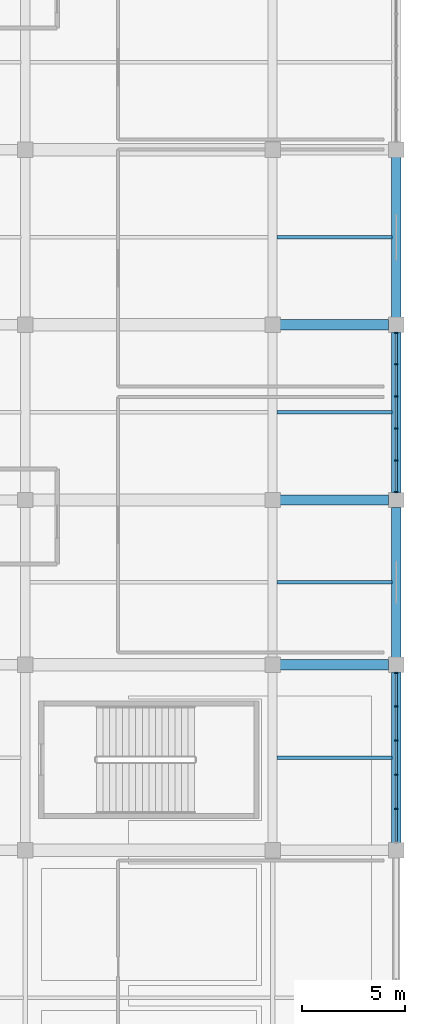
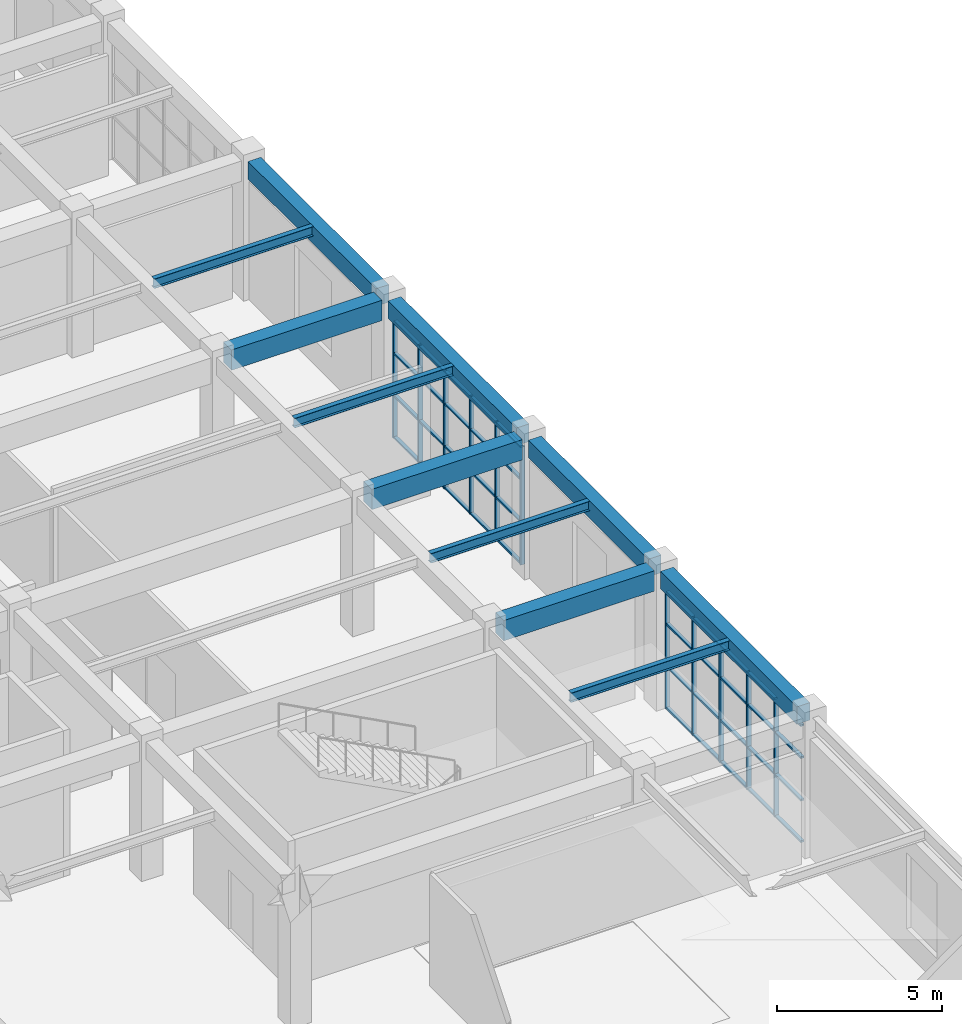
# One storey, part 36 of 70: 51 members, 11 beams, 2 elements without a shape of their own.
"""IFC4 building model written with IfcOpenShell, lengths in metres."""

from ifc_helpers import new_model, si_unit, direction, frame, origin, origin_2d, place, context, subcontext, project, spatial, rectangle, i_section, extrude, material, material_profile, profile_set, type_object, element, aggregate, save


model = new_model("IFC4")

# Units and contexts
model_context = context("Model", 3, precision=1e-05, world=origin(), true_north=direction((0.0, 1.0)))
body_context = subcontext(model_context, "Body", "Model", "MODEL_VIEW")
ifc_project = project(units=[si_unit("LENGTHUNIT", "METRE"), si_unit("AREAUNIT", "SQUARE_METRE"), si_unit("VOLUMEUNIT", "CUBIC_METRE"), si_unit("PLANEANGLEUNIT", "RADIAN"), si_unit("MASSUNIT", "GRAM", prefix="KILO")], contexts=[model_context])

# Site, building, storey
site_placement = place(None, origin())
site = spatial("IfcSite", under=ifc_project, at=site_placement, CompositionType="ELEMENT")
building_placement = place(site_placement, origin())
building = spatial("IfcBuilding", under=site, at=building_placement, Name="Cuetzalor Civic Arena", CompositionType="ELEMENT")
storey_placement = place(building_placement, frame((0.0, 0.0, 21.0)))
storey = spatial("IfcBuildingStorey", under=building, at=storey_placement, Name="L04", CompositionType="ELEMENT", Elevation=21.0)

# Beams
ifc_material_1 = material(Name="Concrete C40/50", Category="concrete")
ifc_material_profile_1 = material_profile(ifc_material_1, rectangle(XDim=0.5, YDim=0.75, at=origin_2d()), Name="RC 500x750")
ifc_profile_set_1 = profile_set([ifc_material_profile_1], Name="Concrete C40/50")
beam_type_1 = type_object("IfcBeamType", Name="ConcreteFrameBeam_500x750", PredefinedType="BEAM", material=ifc_profile_set_1)
for number, where, z_axis, x_axis, name in (
    (1, (76.364990234375, -25.0, 4.7451171875), (1.0, 0.0, 0.0), (0.0, 1.0, 0.0), "Frame Girder V4E-L04-X1156"),
    (2, (76.364990234375, -17.0, 4.7451171875), (1.0, 0.0, 0.0), (0.0, 1.0, 0.0), "Frame Girder V4E-L04-X1159"),
    (3, (76.364990234375, -8.5, 4.7451171875), (1.0, 0.0, 0.0), (0.0, 1.0, 0.0), "Frame Girder V4E-L04-X1162"),
):
    element("IfcBeam", number, at=place(storey_placement, frame(where, z_axis=z_axis, x_axis=x_axis)), inside=storey, type_object=beam_type_1, Name=name, PredefinedType="BEAM", context=body_context, shape_type="SweptSolid", body=[
        extrude(rectangle(XDim=0.5, YDim=0.75, at=origin_2d()), origin(), (0.0, 0.0, 1.0), 5.27001953125),
    ])
ifc_material_2 = material(Name="Concrete C40/50", Category="concrete")
ifc_material_profile_2 = material_profile(ifc_material_2, rectangle(XDim=0.449951171875, YDim=0.64990234375, at=origin_2d()), Name="RC 450x650")
ifc_profile_set_2 = profile_set([ifc_material_profile_2], Name="Concrete C40/50")
beam_type_2 = type_object("IfcBeamType", Name="ConcreteTieBeam_450x650", PredefinedType="BEAM", material=ifc_profile_set_2)
beam_1_placement = place(storey_placement, frame((82.0, -33.635009765625, 4.794921875), z_axis=(0.0, 1.0, 0.0), x_axis=(-1.0, 0.0, 0.0)))
element("IfcBeam", 4, at=beam_1_placement, inside=storey, type_object=beam_type_2, Name="Frame Girder V4E-L04-Y1200", PredefinedType="BEAM", context=body_context, shape_type="SweptSolid", body=[
    extrude(rectangle(XDim=0.449951171875, YDim=0.64990234375, at=origin_2d()), origin(), (0.0, 0.0, 1.0), 8.27001953125),
])
beam_2_placement = place(storey_placement, frame((82.0, -24.635009765625, 4.794921875), z_axis=(0.0, 1.0, 0.0), x_axis=(-1.0, 0.0, 0.0)))
element("IfcBeam", 5, at=beam_2_placement, inside=storey, type_object=beam_type_2, Name="Frame Girder V4E-L04-Y1201", PredefinedType="BEAM", context=body_context, shape_type="SweptSolid", body=[
    extrude(rectangle(XDim=0.449951171875, YDim=0.64990234375, at=origin_2d()), origin(), (0.0, 0.0, 1.0), 7.27001953125),
])
for number, where, z_axis, x_axis, name in (
    (6, (82.0, -16.635009765625, 4.794921875), (0.0, 1.0, 0.0), (-1.0, 0.0, 0.0), "Frame Girder V4E-L04-Y1202"),
    (7, (82.0, -8.135009765625, 4.794921875), (0.0, 1.0, 0.0), (-1.0, 0.0, 0.0), "Frame Girder V4E-L04-Y1203"),
):
    element("IfcBeam", number, at=place(storey_placement, frame(where, z_axis=z_axis, x_axis=x_axis)), inside=storey, type_object=beam_type_2, Name=name, PredefinedType="BEAM", context=body_context, shape_type="SweptSolid", body=[
        extrude(rectangle(XDim=0.449951171875, YDim=0.64990234375, at=origin_2d()), origin(), (0.0, 0.0, 1.0), 7.77001953125),
    ])

# Curtain wall, members
ifc_material_3 = material(Name="Anodised dark bronze aluminium and low-E solar glass", Category="aluminium")
curtain_wall_type_1 = type_object("IfcCurtainWallType", Name="UnitisedCW_8300x4350", PredefinedType="USERDEFINED", material=ifc_material_3)
curtain_wall_1_placement = place(storey_placement, origin())
curtain_wall_1 = element("IfcCurtainWall", 8, at=curtain_wall_1_placement, inside=storey, type_object=curtain_wall_type_1, Name="V4E Suite Viewing Curtain Wall L04-150", ObjectType="UNITISED CURTAIN WALL", PredefinedType="USERDEFINED")
ifc_material_4 = material(Name="Anodised dark bronze aluminium", Category="aluminium")
ifc_material_profile_3 = material_profile(ifc_material_4, rectangle(XDim=0.06494140625, YDim=0.14990234375, at=origin_2d()), Name="ALU MULLION 65x150")
ifc_profile_set_3 = profile_set([ifc_material_profile_3], Name="Anodised dark bronze aluminium")
member_type_1 = type_object("IfcMemberType", Name="CurtainWallMullion_60x150", PredefinedType="MULLION", material=ifc_profile_set_3)
member_1_placement = place(storey_placement, frame((82.0, -25.389404296875, 0.0), z_axis=(0.0, 0.0, 1.0), x_axis=(0.0, -1.0, 0.0)))
member_1 = element("IfcMember", 9, at=member_1_placement, type_object=member_type_1, Name="CW-46 mullion 1", PredefinedType="MULLION", context=body_context, shape_type="SweptSolid", body=[
    extrude(rectangle(XDim=0.06494140625, YDim=0.14990234375, at=origin_2d()), origin(), (0.0, 0.0, 1.0), 4.360107421875),
])
member_2_placement = place(storey_placement, frame((82.0, -27.01416015625, 0.0), z_axis=(0.0, 0.0, 1.0), x_axis=(0.0, -1.0, 0.0)))
member_2 = element("IfcMember", 10, at=member_2_placement, type_object=member_type_1, Name="CW-46 mullion 2", PredefinedType="MULLION", context=body_context, shape_type="SweptSolid", body=[
    extrude(rectangle(XDim=0.06494140625, YDim=0.14990234375, at=origin_2d()), origin(), (0.0, 0.0, 1.0), 4.360107421875),
])
member_3_placement = place(storey_placement, frame((82.0, -28.67138671875, 0.0), z_axis=(0.0, 0.0, 1.0), x_axis=(0.0, -1.0, 0.0)))
member_3 = element("IfcMember", 11, at=member_3_placement, type_object=member_type_1, Name="CW-46 mullion 3", PredefinedType="MULLION", context=body_context, shape_type="SweptSolid", body=[
    extrude(rectangle(XDim=0.06494140625, YDim=0.14990234375, at=origin_2d()), origin(), (0.0, 0.0, 1.0), 4.360107421875),
])
member_4_placement = place(storey_placement, frame((82.0, -30.32861328125, 0.0), z_axis=(0.0, 0.0, 1.0), x_axis=(0.0, -1.0, 0.0)))
member_4 = element("IfcMember", 12, at=member_4_placement, type_object=member_type_1, Name="CW-46 mullion 4", PredefinedType="MULLION", context=body_context, shape_type="SweptSolid", body=[
    extrude(rectangle(XDim=0.06494140625, YDim=0.14990234375, at=origin_2d()), origin(), (0.0, 0.0, 1.0), 4.360107421875),
])
member_5_placement = place(storey_placement, frame((82.0, -31.98583984375, 0.0), z_axis=(0.0, 0.0, 1.0), x_axis=(0.0, -1.0, 0.0)))
member_5 = element("IfcMember", 13, at=member_5_placement, type_object=member_type_1, Name="CW-46 mullion 5", PredefinedType="MULLION", context=body_context, shape_type="SweptSolid", body=[
    extrude(rectangle(XDim=0.06494140625, YDim=0.14990234375, at=origin_2d()), origin(), (0.0, 0.0, 1.0), 4.360107421875),
])

ifc_material_5 = material(Name="Anodised dark bronze aluminium and low-E solar glass", Category="aluminium")
curtain_wall_type_2 = type_object("IfcCurtainWallType", Name="UnitisedCW_7800x4350", PredefinedType="USERDEFINED", material=ifc_material_5)
curtain_wall_2_placement = place(storey_placement, origin())
curtain_wall_2 = element("IfcCurtainWall", 14, at=curtain_wall_2_placement, inside=storey, type_object=curtain_wall_type_2, Name="V4E Suite Viewing Curtain Wall L04-151", ObjectType="UNITISED CURTAIN WALL", PredefinedType="USERDEFINED")
member_6_placement = place(storey_placement, frame((82.0, -8.889404296875, 0.0), z_axis=(0.0, 0.0, 1.0), x_axis=(0.0, -1.0, 0.0)))
member_6 = element("IfcMember", 15, at=member_6_placement, type_object=member_type_1, Name="CW-47 mullion 1", PredefinedType="MULLION", context=body_context, shape_type="SweptSolid", body=[
    extrude(rectangle(XDim=0.06494140625, YDim=0.14990234375, at=origin_2d()), origin(), (0.0, 0.0, 1.0), 4.360107421875),
])
member_7_placement = place(storey_placement, frame((82.0, -10.414306640625, 0.0), z_axis=(0.0, 0.0, 1.0), x_axis=(0.0, -1.0, 0.0)))
member_7 = element("IfcMember", 16, at=member_7_placement, type_object=member_type_1, Name="CW-47 mullion 2", PredefinedType="MULLION", context=body_context, shape_type="SweptSolid", body=[
    extrude(rectangle(XDim=0.06494140625, YDim=0.14990234375, at=origin_2d()), origin(), (0.0, 0.0, 1.0), 4.360107421875),
])
member_8_placement = place(storey_placement, frame((82.0, -11.971435546875, 0.0), z_axis=(0.0, 0.0, 1.0), x_axis=(0.0, -1.0, 0.0)))
member_8 = element("IfcMember", 17, at=member_8_placement, type_object=member_type_1, Name="CW-47 mullion 3", PredefinedType="MULLION", context=body_context, shape_type="SweptSolid", body=[
    extrude(rectangle(XDim=0.06494140625, YDim=0.14990234375, at=origin_2d()), origin(), (0.0, 0.0, 1.0), 4.360107421875),
])
member_9_placement = place(storey_placement, frame((82.0, -13.528564453125, 0.0), z_axis=(0.0, 0.0, 1.0), x_axis=(0.0, -1.0, 0.0)))
member_9 = element("IfcMember", 18, at=member_9_placement, type_object=member_type_1, Name="CW-47 mullion 4", PredefinedType="MULLION", context=body_context, shape_type="SweptSolid", body=[
    extrude(rectangle(XDim=0.06494140625, YDim=0.14990234375, at=origin_2d()), origin(), (0.0, 0.0, 1.0), 4.360107421875),
])
member_10_placement = place(storey_placement, frame((82.0, -15.085693359375, 0.0), z_axis=(0.0, 0.0, 1.0), x_axis=(0.0, -1.0, 0.0)))
member_10 = element("IfcMember", 19, at=member_10_placement, type_object=member_type_1, Name="CW-47 mullion 5", PredefinedType="MULLION", context=body_context, shape_type="SweptSolid", body=[
    extrude(rectangle(XDim=0.06494140625, YDim=0.14990234375, at=origin_2d()), origin(), (0.0, 0.0, 1.0), 4.360107421875),
])
member_11_placement = place(storey_placement, frame((82.0, -16.610595703125, 0.0), z_axis=(0.0, 0.0, 1.0), x_axis=(0.0, -1.0, 0.0)))
member_11 = element("IfcMember", 20, at=member_11_placement, type_object=member_type_1, Name="CW-47 mullion 6", PredefinedType="MULLION", context=body_context, shape_type="SweptSolid", body=[
    extrude(rectangle(XDim=0.06494140625, YDim=0.14990234375, at=origin_2d()), origin(), (0.0, 0.0, 1.0), 4.360107421875),
])

# Member
ifc_material_6 = material(Name="Anodised dark bronze aluminium", Category="aluminium")
ifc_material_profile_4 = material_profile(ifc_material_6, rectangle(XDim=0.1201171875, YDim=0.06494140625, at=origin_2d()), Name="ALU TRANSOM 65x120")
ifc_profile_set_4 = profile_set([ifc_material_profile_4], Name="Anodised dark bronze aluminium")
member_type_2 = type_object("IfcMemberType", Name="CurtainWallTransom_60x120", PredefinedType="USERDEFINED", material=ifc_profile_set_4)
member_12_placement = place(storey_placement, frame((82.0, -25.422119140625, 0.032470703125), z_axis=(0.0, -1.0, 0.0), x_axis=(1.0, 0.0, 0.0)))
member_12 = element("IfcMember", 21, at=member_12_placement, type_object=member_type_2, Name="CW-46 transom 1.1", ObjectType="TRANSOM", PredefinedType="USERDEFINED", context=body_context, shape_type="SweptSolid", body=[
    extrude(rectangle(XDim=0.1201171875, YDim=0.06494140625, at=origin_2d()), origin(), (0.0, 0.0, 1.0), 1.5595703125),
])

member_13_placement = place(storey_placement, frame((82.0, -25.422119140625, 1.570068359375), z_axis=(0.0, -1.0, 0.0), x_axis=(1.0, 0.0, 0.0)))
member_13 = element("IfcMember", 22, at=member_13_placement, type_object=member_type_2, Name="CW-46 transom 1.2", ObjectType="TRANSOM", PredefinedType="USERDEFINED", context=body_context, shape_type="SweptSolid", body=[
    extrude(rectangle(XDim=0.1201171875, YDim=0.06494140625, at=origin_2d()), origin(), (0.0, 0.0, 1.0), 1.5595703125),
])

member_14_placement = place(storey_placement, frame((82.0, -25.422119140625, 3.138916015625), z_axis=(0.0, -1.0, 0.0), x_axis=(1.0, 0.0, 0.0)))
member_14 = element("IfcMember", 23, at=member_14_placement, type_object=member_type_2, Name="CW-46 transom 1.3", ObjectType="TRANSOM", PredefinedType="USERDEFINED", context=body_context, shape_type="SweptSolid", body=[
    extrude(rectangle(XDim=0.1201171875, YDim=0.06494140625, at=origin_2d()), origin(), (0.0, 0.0, 1.0), 1.5595703125),
])

member_15_placement = place(storey_placement, frame((82.0, -25.422119140625, 4.327392578125), z_axis=(0.0, -1.0, 0.0), x_axis=(1.0, 0.0, 0.0)))
member_15 = element("IfcMember", 24, at=member_15_placement, type_object=member_type_2, Name="CW-46 transom 1.4", ObjectType="TRANSOM", PredefinedType="USERDEFINED", context=body_context, shape_type="SweptSolid", body=[
    extrude(rectangle(XDim=0.1201171875, YDim=0.06494140625, at=origin_2d()), origin(), (0.0, 0.0, 1.0), 1.5595703125),
])

member_16_placement = place(storey_placement, frame((82.0, -27.046630859375, 0.032470703125), z_axis=(0.0, -1.0, 0.0), x_axis=(1.0, 0.0, 0.0)))
member_16 = element("IfcMember", 25, at=member_16_placement, type_object=member_type_2, Name="CW-46 transom 2.1", ObjectType="TRANSOM", PredefinedType="USERDEFINED", context=body_context, shape_type="SweptSolid", body=[
    extrude(rectangle(XDim=0.1201171875, YDim=0.06494140625, at=origin_2d()), origin(), (0.0, 0.0, 1.0), 1.59228515625),
])

member_17_placement = place(storey_placement, frame((82.0, -27.046630859375, 1.570068359375), z_axis=(0.0, -1.0, 0.0), x_axis=(1.0, 0.0, 0.0)))
member_17 = element("IfcMember", 26, at=member_17_placement, type_object=member_type_2, Name="CW-46 transom 2.2", ObjectType="TRANSOM", PredefinedType="USERDEFINED", context=body_context, shape_type="SweptSolid", body=[
    extrude(rectangle(XDim=0.1201171875, YDim=0.06494140625, at=origin_2d()), origin(), (0.0, 0.0, 1.0), 1.59228515625),
])

member_18_placement = place(storey_placement, frame((82.0, -27.046630859375, 3.138916015625), z_axis=(0.0, -1.0, 0.0), x_axis=(1.0, 0.0, 0.0)))
member_18 = element("IfcMember", 27, at=member_18_placement, type_object=member_type_2, Name="CW-46 transom 2.3", ObjectType="TRANSOM", PredefinedType="USERDEFINED", context=body_context, shape_type="SweptSolid", body=[
    extrude(rectangle(XDim=0.1201171875, YDim=0.06494140625, at=origin_2d()), origin(), (0.0, 0.0, 1.0), 1.59228515625),
])

member_19_placement = place(storey_placement, frame((82.0, -27.046630859375, 4.327392578125), z_axis=(0.0, -1.0, 0.0), x_axis=(1.0, 0.0, 0.0)))
member_19 = element("IfcMember", 28, at=member_19_placement, type_object=member_type_2, Name="CW-46 transom 2.4", ObjectType="TRANSOM", PredefinedType="USERDEFINED", context=body_context, shape_type="SweptSolid", body=[
    extrude(rectangle(XDim=0.1201171875, YDim=0.06494140625, at=origin_2d()), origin(), (0.0, 0.0, 1.0), 1.59228515625),
])

member_20_placement = place(storey_placement, frame((82.0, -28.703857421875, 0.032470703125), z_axis=(0.0, -1.0, 0.0), x_axis=(1.0, 0.0, 0.0)))
member_20 = element("IfcMember", 29, at=member_20_placement, type_object=member_type_2, Name="CW-46 transom 3.1", ObjectType="TRANSOM", PredefinedType="USERDEFINED", context=body_context, shape_type="SweptSolid", body=[
    extrude(rectangle(XDim=0.1201171875, YDim=0.06494140625, at=origin_2d()), origin(), (0.0, 0.0, 1.0), 1.59228515625),
])

member_21_placement = place(storey_placement, frame((82.0, -28.703857421875, 1.570068359375), z_axis=(0.0, -1.0, 0.0), x_axis=(1.0, 0.0, 0.0)))
member_21 = element("IfcMember", 30, at=member_21_placement, type_object=member_type_2, Name="CW-46 transom 3.2", ObjectType="TRANSOM", PredefinedType="USERDEFINED", context=body_context, shape_type="SweptSolid", body=[
    extrude(rectangle(XDim=0.1201171875, YDim=0.06494140625, at=origin_2d()), origin(), (0.0, 0.0, 1.0), 1.59228515625),
])

member_22_placement = place(storey_placement, frame((82.0, -28.703857421875, 3.138916015625), z_axis=(0.0, -1.0, 0.0), x_axis=(1.0, 0.0, 0.0)))
member_22 = element("IfcMember", 31, at=member_22_placement, type_object=member_type_2, Name="CW-46 transom 3.3", ObjectType="TRANSOM", PredefinedType="USERDEFINED", context=body_context, shape_type="SweptSolid", body=[
    extrude(rectangle(XDim=0.1201171875, YDim=0.06494140625, at=origin_2d()), origin(), (0.0, 0.0, 1.0), 1.59228515625),
])

member_23_placement = place(storey_placement, frame((82.0, -28.703857421875, 4.327392578125), z_axis=(0.0, -1.0, 0.0), x_axis=(1.0, 0.0, 0.0)))
member_23 = element("IfcMember", 32, at=member_23_placement, type_object=member_type_2, Name="CW-46 transom 3.4", ObjectType="TRANSOM", PredefinedType="USERDEFINED", context=body_context, shape_type="SweptSolid", body=[
    extrude(rectangle(XDim=0.1201171875, YDim=0.06494140625, at=origin_2d()), origin(), (0.0, 0.0, 1.0), 1.59228515625),
])

member_24_placement = place(storey_placement, frame((82.0, -30.361083984375, 0.032470703125), z_axis=(0.0, -1.0, 0.0), x_axis=(1.0, 0.0, 0.0)))
member_24 = element("IfcMember", 33, at=member_24_placement, type_object=member_type_2, Name="CW-46 transom 4.1", ObjectType="TRANSOM", PredefinedType="USERDEFINED", context=body_context, shape_type="SweptSolid", body=[
    extrude(rectangle(XDim=0.1201171875, YDim=0.06494140625, at=origin_2d()), origin(), (0.0, 0.0, 1.0), 1.59228515625),
])

member_25_placement = place(storey_placement, frame((82.0, -30.361083984375, 1.570068359375), z_axis=(0.0, -1.0, 0.0), x_axis=(1.0, 0.0, 0.0)))
member_25 = element("IfcMember", 34, at=member_25_placement, type_object=member_type_2, Name="CW-46 transom 4.2", ObjectType="TRANSOM", PredefinedType="USERDEFINED", context=body_context, shape_type="SweptSolid", body=[
    extrude(rectangle(XDim=0.1201171875, YDim=0.06494140625, at=origin_2d()), origin(), (0.0, 0.0, 1.0), 1.59228515625),
])

member_26_placement = place(storey_placement, frame((82.0, -30.361083984375, 3.138916015625), z_axis=(0.0, -1.0, 0.0), x_axis=(1.0, 0.0, 0.0)))
member_26 = element("IfcMember", 35, at=member_26_placement, type_object=member_type_2, Name="CW-46 transom 4.3", ObjectType="TRANSOM", PredefinedType="USERDEFINED", context=body_context, shape_type="SweptSolid", body=[
    extrude(rectangle(XDim=0.1201171875, YDim=0.06494140625, at=origin_2d()), origin(), (0.0, 0.0, 1.0), 1.59228515625),
])

member_27_placement = place(storey_placement, frame((82.0, -30.361083984375, 4.327392578125), z_axis=(0.0, -1.0, 0.0), x_axis=(1.0, 0.0, 0.0)))
member_27 = element("IfcMember", 36, at=member_27_placement, type_object=member_type_2, Name="CW-46 transom 4.4", ObjectType="TRANSOM", PredefinedType="USERDEFINED", context=body_context, shape_type="SweptSolid", body=[
    extrude(rectangle(XDim=0.1201171875, YDim=0.06494140625, at=origin_2d()), origin(), (0.0, 0.0, 1.0), 1.59228515625),
])

member_28_placement = place(storey_placement, frame((82.0, -32.018310546875, 0.032470703125), z_axis=(0.0, -1.0, 0.0), x_axis=(1.0, 0.0, 0.0)))
member_28 = element("IfcMember", 37, at=member_28_placement, type_object=member_type_2, Name="CW-46 transom 5.1", ObjectType="TRANSOM", PredefinedType="USERDEFINED", context=body_context, shape_type="SweptSolid", body=[
    extrude(rectangle(XDim=0.1201171875, YDim=0.06494140625, at=origin_2d()), origin(), (0.0, 0.0, 1.0), 1.5595703125),
])

member_29_placement = place(storey_placement, frame((82.0, -32.018310546875, 1.570068359375), z_axis=(0.0, -1.0, 0.0), x_axis=(1.0, 0.0, 0.0)))
member_29 = element("IfcMember", 38, at=member_29_placement, type_object=member_type_2, Name="CW-46 transom 5.2", ObjectType="TRANSOM", PredefinedType="USERDEFINED", context=body_context, shape_type="SweptSolid", body=[
    extrude(rectangle(XDim=0.1201171875, YDim=0.06494140625, at=origin_2d()), origin(), (0.0, 0.0, 1.0), 1.5595703125),
])

member_30_placement = place(storey_placement, frame((82.0, -32.018310546875, 3.138916015625), z_axis=(0.0, -1.0, 0.0), x_axis=(1.0, 0.0, 0.0)))
member_30 = element("IfcMember", 39, at=member_30_placement, type_object=member_type_2, Name="CW-46 transom 5.3", ObjectType="TRANSOM", PredefinedType="USERDEFINED", context=body_context, shape_type="SweptSolid", body=[
    extrude(rectangle(XDim=0.1201171875, YDim=0.06494140625, at=origin_2d()), origin(), (0.0, 0.0, 1.0), 1.5595703125),
])

member_31_placement = place(storey_placement, frame((82.0, -32.018310546875, 4.327392578125), z_axis=(0.0, -1.0, 0.0), x_axis=(1.0, 0.0, 0.0)))
member_31 = element("IfcMember", 40, at=member_31_placement, type_object=member_type_2, Name="CW-46 transom 5.4", ObjectType="TRANSOM", PredefinedType="USERDEFINED", context=body_context, shape_type="SweptSolid", body=[
    extrude(rectangle(XDim=0.1201171875, YDim=0.06494140625, at=origin_2d()), origin(), (0.0, 0.0, 1.0), 1.5595703125),
])

aggregate(curtain_wall_1, [member_1, member_2, member_3, member_4, member_5, member_12, member_13, member_14, member_15, member_16, member_17, member_18, member_19, member_20, member_21, member_22, member_23, member_24, member_25, member_26, member_27, member_28, member_29, member_30, member_31])

member_32_placement = place(storey_placement, frame((82.0, -8.922119140625, 0.032470703125), z_axis=(0.0, -1.0, 0.0), x_axis=(1.0, 0.0, 0.0)))
member_32 = element("IfcMember", 41, at=member_32_placement, type_object=member_type_2, Name="CW-47 transom 1.1", ObjectType="TRANSOM", PredefinedType="USERDEFINED", context=body_context, shape_type="SweptSolid", body=[
    extrude(rectangle(XDim=0.1201171875, YDim=0.06494140625, at=origin_2d()), origin(), (0.0, 0.0, 1.0), 1.45947265625),
])

member_33_placement = place(storey_placement, frame((82.0, -8.922119140625, 1.570068359375), z_axis=(0.0, -1.0, 0.0), x_axis=(1.0, 0.0, 0.0)))
member_33 = element("IfcMember", 42, at=member_33_placement, type_object=member_type_2, Name="CW-47 transom 1.2", ObjectType="TRANSOM", PredefinedType="USERDEFINED", context=body_context, shape_type="SweptSolid", body=[
    extrude(rectangle(XDim=0.1201171875, YDim=0.06494140625, at=origin_2d()), origin(), (0.0, 0.0, 1.0), 1.45947265625),
])

member_34_placement = place(storey_placement, frame((82.0, -8.922119140625, 3.138916015625), z_axis=(0.0, -1.0, 0.0), x_axis=(1.0, 0.0, 0.0)))
member_34 = element("IfcMember", 43, at=member_34_placement, type_object=member_type_2, Name="CW-47 transom 1.3", ObjectType="TRANSOM", PredefinedType="USERDEFINED", context=body_context, shape_type="SweptSolid", body=[
    extrude(rectangle(XDim=0.1201171875, YDim=0.06494140625, at=origin_2d()), origin(), (0.0, 0.0, 1.0), 1.45947265625),
])

member_35_placement = place(storey_placement, frame((82.0, -8.922119140625, 4.327392578125), z_axis=(0.0, -1.0, 0.0), x_axis=(1.0, 0.0, 0.0)))
member_35 = element("IfcMember", 44, at=member_35_placement, type_object=member_type_2, Name="CW-47 transom 1.4", ObjectType="TRANSOM", PredefinedType="USERDEFINED", context=body_context, shape_type="SweptSolid", body=[
    extrude(rectangle(XDim=0.1201171875, YDim=0.06494140625, at=origin_2d()), origin(), (0.0, 0.0, 1.0), 1.45947265625),
])

member_36_placement = place(storey_placement, frame((82.0, -10.44677734375, 0.032470703125), z_axis=(0.0, -1.0, 0.0), x_axis=(1.0, 0.0, 0.0)))
member_36 = element("IfcMember", 45, at=member_36_placement, type_object=member_type_2, Name="CW-47 transom 2.1", ObjectType="TRANSOM", PredefinedType="USERDEFINED", context=body_context, shape_type="SweptSolid", body=[
    extrude(rectangle(XDim=0.1201171875, YDim=0.06494140625, at=origin_2d()), origin(), (0.0, 0.0, 1.0), 1.4921875),
])

member_37_placement = place(storey_placement, frame((82.0, -10.44677734375, 1.570068359375), z_axis=(0.0, -1.0, 0.0), x_axis=(1.0, 0.0, 0.0)))
member_37 = element("IfcMember", 46, at=member_37_placement, type_object=member_type_2, Name="CW-47 transom 2.2", ObjectType="TRANSOM", PredefinedType="USERDEFINED", context=body_context, shape_type="SweptSolid", body=[
    extrude(rectangle(XDim=0.1201171875, YDim=0.06494140625, at=origin_2d()), origin(), (0.0, 0.0, 1.0), 1.4921875),
])

member_38_placement = place(storey_placement, frame((82.0, -10.44677734375, 3.138916015625), z_axis=(0.0, -1.0, 0.0), x_axis=(1.0, 0.0, 0.0)))
member_38 = element("IfcMember", 47, at=member_38_placement, type_object=member_type_2, Name="CW-47 transom 2.3", ObjectType="TRANSOM", PredefinedType="USERDEFINED", context=body_context, shape_type="SweptSolid", body=[
    extrude(rectangle(XDim=0.1201171875, YDim=0.06494140625, at=origin_2d()), origin(), (0.0, 0.0, 1.0), 1.4921875),
])

member_39_placement = place(storey_placement, frame((82.0, -10.44677734375, 4.327392578125), z_axis=(0.0, -1.0, 0.0), x_axis=(1.0, 0.0, 0.0)))
member_39 = element("IfcMember", 48, at=member_39_placement, type_object=member_type_2, Name="CW-47 transom 2.4", ObjectType="TRANSOM", PredefinedType="USERDEFINED", context=body_context, shape_type="SweptSolid", body=[
    extrude(rectangle(XDim=0.1201171875, YDim=0.06494140625, at=origin_2d()), origin(), (0.0, 0.0, 1.0), 1.4921875),
])

member_40_placement = place(storey_placement, frame((82.0, -12.00390625, 0.032470703125), z_axis=(0.0, -1.0, 0.0), x_axis=(1.0, 0.0, 0.0)))
member_40 = element("IfcMember", 49, at=member_40_placement, type_object=member_type_2, Name="CW-47 transom 3.1", ObjectType="TRANSOM", PredefinedType="USERDEFINED", context=body_context, shape_type="SweptSolid", body=[
    extrude(rectangle(XDim=0.1201171875, YDim=0.06494140625, at=origin_2d()), origin(), (0.0, 0.0, 1.0), 1.4921875),
])

member_41_placement = place(storey_placement, frame((82.0, -12.00390625, 1.570068359375), z_axis=(0.0, -1.0, 0.0), x_axis=(1.0, 0.0, 0.0)))
member_41 = element("IfcMember", 50, at=member_41_placement, type_object=member_type_2, Name="CW-47 transom 3.2", ObjectType="TRANSOM", PredefinedType="USERDEFINED", context=body_context, shape_type="SweptSolid", body=[
    extrude(rectangle(XDim=0.1201171875, YDim=0.06494140625, at=origin_2d()), origin(), (0.0, 0.0, 1.0), 1.4921875),
])

member_42_placement = place(storey_placement, frame((82.0, -12.00390625, 3.138916015625), z_axis=(0.0, -1.0, 0.0), x_axis=(1.0, 0.0, 0.0)))
member_42 = element("IfcMember", 51, at=member_42_placement, type_object=member_type_2, Name="CW-47 transom 3.3", ObjectType="TRANSOM", PredefinedType="USERDEFINED", context=body_context, shape_type="SweptSolid", body=[
    extrude(rectangle(XDim=0.1201171875, YDim=0.06494140625, at=origin_2d()), origin(), (0.0, 0.0, 1.0), 1.4921875),
])

member_43_placement = place(storey_placement, frame((82.0, -12.00390625, 4.327392578125), z_axis=(0.0, -1.0, 0.0), x_axis=(1.0, 0.0, 0.0)))
member_43 = element("IfcMember", 52, at=member_43_placement, type_object=member_type_2, Name="CW-47 transom 3.4", ObjectType="TRANSOM", PredefinedType="USERDEFINED", context=body_context, shape_type="SweptSolid", body=[
    extrude(rectangle(XDim=0.1201171875, YDim=0.06494140625, at=origin_2d()), origin(), (0.0, 0.0, 1.0), 1.4921875),
])

member_44_placement = place(storey_placement, frame((82.0, -13.56103515625, 0.032470703125), z_axis=(0.0, -1.0, 0.0), x_axis=(1.0, 0.0, 0.0)))
member_44 = element("IfcMember", 53, at=member_44_placement, type_object=member_type_2, Name="CW-47 transom 4.1", ObjectType="TRANSOM", PredefinedType="USERDEFINED", context=body_context, shape_type="SweptSolid", body=[
    extrude(rectangle(XDim=0.1201171875, YDim=0.06494140625, at=origin_2d()), origin(), (0.0, 0.0, 1.0), 1.4921875),
])

member_45_placement = place(storey_placement, frame((82.0, -13.56103515625, 1.570068359375), z_axis=(0.0, -1.0, 0.0), x_axis=(1.0, 0.0, 0.0)))
member_45 = element("IfcMember", 54, at=member_45_placement, type_object=member_type_2, Name="CW-47 transom 4.2", ObjectType="TRANSOM", PredefinedType="USERDEFINED", context=body_context, shape_type="SweptSolid", body=[
    extrude(rectangle(XDim=0.1201171875, YDim=0.06494140625, at=origin_2d()), origin(), (0.0, 0.0, 1.0), 1.4921875),
])

member_46_placement = place(storey_placement, frame((82.0, -13.56103515625, 3.138916015625), z_axis=(0.0, -1.0, 0.0), x_axis=(1.0, 0.0, 0.0)))
member_46 = element("IfcMember", 55, at=member_46_placement, type_object=member_type_2, Name="CW-47 transom 4.3", ObjectType="TRANSOM", PredefinedType="USERDEFINED", context=body_context, shape_type="SweptSolid", body=[
    extrude(rectangle(XDim=0.1201171875, YDim=0.06494140625, at=origin_2d()), origin(), (0.0, 0.0, 1.0), 1.4921875),
])

member_47_placement = place(storey_placement, frame((82.0, -13.56103515625, 4.327392578125), z_axis=(0.0, -1.0, 0.0), x_axis=(1.0, 0.0, 0.0)))
member_47 = element("IfcMember", 56, at=member_47_placement, type_object=member_type_2, Name="CW-47 transom 4.4", ObjectType="TRANSOM", PredefinedType="USERDEFINED", context=body_context, shape_type="SweptSolid", body=[
    extrude(rectangle(XDim=0.1201171875, YDim=0.06494140625, at=origin_2d()), origin(), (0.0, 0.0, 1.0), 1.4921875),
])

member_48_placement = place(storey_placement, frame((82.0, -15.118408203125, 0.032470703125), z_axis=(0.0, -1.0, 0.0), x_axis=(1.0, 0.0, 0.0)))
member_48 = element("IfcMember", 57, at=member_48_placement, type_object=member_type_2, Name="CW-47 transom 5.1", ObjectType="TRANSOM", PredefinedType="USERDEFINED", context=body_context, shape_type="SweptSolid", body=[
    extrude(rectangle(XDim=0.1201171875, YDim=0.06494140625, at=origin_2d()), origin(), (0.0, 0.0, 1.0), 1.45947265625),
])

member_49_placement = place(storey_placement, frame((82.0, -15.118408203125, 1.570068359375), z_axis=(0.0, -1.0, 0.0), x_axis=(1.0, 0.0, 0.0)))
member_49 = element("IfcMember", 58, at=member_49_placement, type_object=member_type_2, Name="CW-47 transom 5.2", ObjectType="TRANSOM", PredefinedType="USERDEFINED", context=body_context, shape_type="SweptSolid", body=[
    extrude(rectangle(XDim=0.1201171875, YDim=0.06494140625, at=origin_2d()), origin(), (0.0, 0.0, 1.0), 1.45947265625),
])

member_50_placement = place(storey_placement, frame((82.0, -15.118408203125, 3.138916015625), z_axis=(0.0, -1.0, 0.0), x_axis=(1.0, 0.0, 0.0)))
member_50 = element("IfcMember", 59, at=member_50_placement, type_object=member_type_2, Name="CW-47 transom 5.3", ObjectType="TRANSOM", PredefinedType="USERDEFINED", context=body_context, shape_type="SweptSolid", body=[
    extrude(rectangle(XDim=0.1201171875, YDim=0.06494140625, at=origin_2d()), origin(), (0.0, 0.0, 1.0), 1.45947265625),
])

member_51_placement = place(storey_placement, frame((82.0, -15.118408203125, 4.327392578125), z_axis=(0.0, -1.0, 0.0), x_axis=(1.0, 0.0, 0.0)))
member_51 = element("IfcMember", 60, at=member_51_placement, type_object=member_type_2, Name="CW-47 transom 5.4", ObjectType="TRANSOM", PredefinedType="USERDEFINED", context=body_context, shape_type="SweptSolid", body=[
    extrude(rectangle(XDim=0.1201171875, YDim=0.06494140625, at=origin_2d()), origin(), (0.0, 0.0, 1.0), 1.45947265625),
])

aggregate(curtain_wall_2, [member_6, member_7, member_8, member_9, member_10, member_11, member_32, member_33, member_34, member_35, member_36, member_37, member_38, member_39, member_40, member_41, member_42, member_43, member_44, member_45, member_46, member_47, member_48, member_49, member_50, member_51])

# Beams
ifc_material_7 = material(Name="Steel S355", Category="steel")
ifc_material_profile_5 = material_profile(ifc_material_7, i_section(OverallWidth=0.1708984375, OverallDepth=0.35498046875, WebThickness=0.007080078125, FlangeThickness=0.01171875, at=origin_2d()), Name="W360x51")
ifc_profile_set_5 = profile_set([ifc_material_profile_5], Name="Steel S355")
beam_type_3 = type_object("IfcBeamType", Name="SecondaryFloorJoist_W360", PredefinedType="JOIST", material=ifc_profile_set_5)
for number, where, z_axis, x_axis, name in (
    (61, (76.217041015625, -29.5, 4.9423828125), (1.0, 0.0, 0.0), (0.0, 1.0, 0.0), "Secondary Floor Joist V4E-L04-0371"),
    (62, (76.217041015625, -21.0, 4.9423828125), (1.0, 0.0, 0.0), (0.0, 1.0, 0.0), "Secondary Floor Joist V4E-L04-0372"),
    (63, (76.217041015625, -12.75, 4.9423828125), (1.0, 0.0, 0.0), (0.0, 1.0, 0.0), "Secondary Floor Joist V4E-L04-0373"),
    (64, (76.217041015625, -4.25, 4.9423828125), (1.0, 0.0, 0.0), (0.0, 1.0, 0.0), "Secondary Floor Joist V4E-L04-0374"),
):
    element("IfcBeam", number, at=place(storey_placement, frame(where, z_axis=z_axis, x_axis=x_axis)), inside=storey, type_object=beam_type_3, Name=name, PredefinedType="JOIST", context=body_context, shape_type="SweptSolid", body=[
        extrude(i_section(OverallWidth=0.1708984375, OverallDepth=0.35498046875, WebThickness=0.007080078125, FlangeThickness=0.01171875, at=origin_2d()), origin(), (0.0, 0.0, 1.0), 5.56591796875),
    ])

save(model, "model.ifc")
